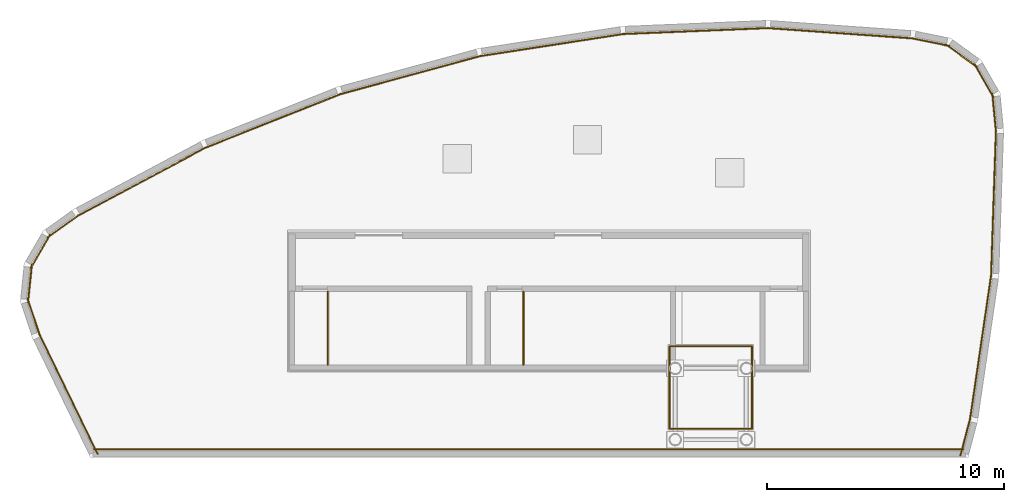
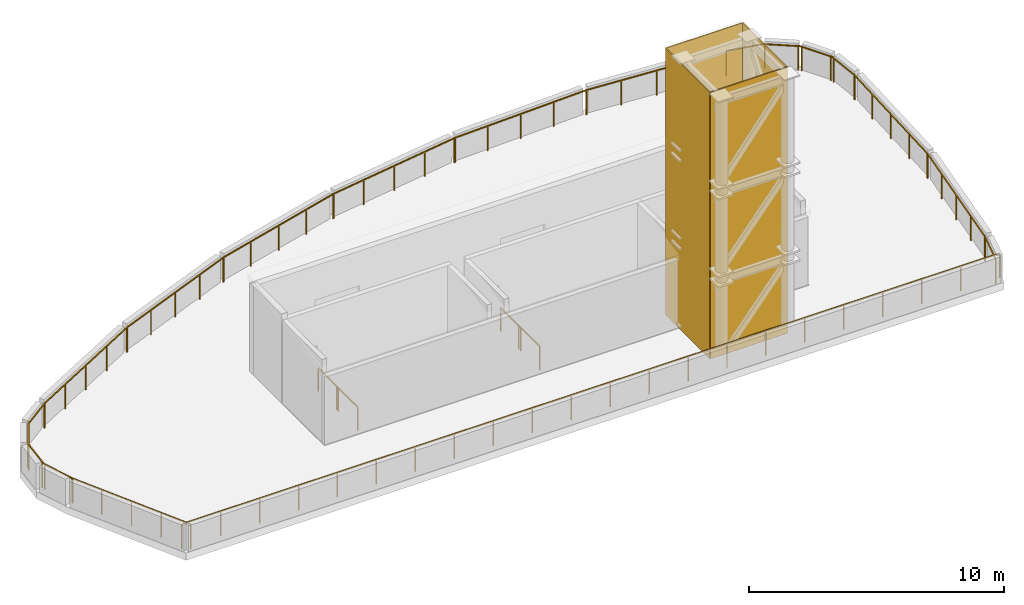
# One storey, part 3 of 3: 23 railings, 4 coverings.
"""IFC4 building model written with IfcOpenShell, lengths in metres."""

from ifc_helpers import new_model, si_unit, direction, frame, origin, origin_2d, place, context, subcontext, project, spatial, rectangle, extrude, material, layer, layer_set, type_object, element, save


model = new_model("IFC4")

# Units and contexts
model_context = context("Model", 3, precision=1e-05, world=origin(), true_north=direction((0.0, 1.0)))
body_context = subcontext(model_context, "Body", "Model", "MODEL_VIEW")
ifc_project = project(units=[si_unit("LENGTHUNIT", "METRE"), si_unit("AREAUNIT", "SQUARE_METRE"), si_unit("VOLUMEUNIT", "CUBIC_METRE"), si_unit("PLANEANGLEUNIT", "RADIAN"), si_unit("MASSUNIT", "GRAM", prefix="KILO")], contexts=[model_context])

# Site, building, storey
site_placement = place(None, origin())
site = spatial("IfcSite", under=ifc_project, at=site_placement, CompositionType="ELEMENT")
building_placement = place(site_placement, origin())
building = spatial("IfcBuilding", under=site, at=building_placement, Name="Tavelor Broadcast Tower", CompositionType="ELEMENT")
storey_placement = place(building_placement, frame((0.0, 0.0, 359.699951171875)))
storey = spatial("IfcBuildingStorey", under=building, at=storey_placement, Name="RF", CompositionType="ELEMENT", Elevation=359.699951171875)

# Coverings
ifc_material_1 = material(Name="Copper-Bronze Anodized Aluminium", Category="aluminium")
ifc_layer = layer(ifc_material_1, 0.050048828125)
ifc_layer_set = layer_set([ifc_layer], Name="Copper-Bronze Anodized Aluminium")
covering_type = type_object("IfcCoveringType", Name="Champagne-Bronze Corner Pier Metal Cladding 50 mm", PredefinedType="CLADDING", material=ifc_layer_set)
for number, where, z_axis, x_axis, name in (
    (1, (52.699951171875, 45.409912109375, 0.02001953125), (0.0, 0.0, 1.0), (1.0, 0.0, 0.0), "RF Broadcast Spire Aerodynamic Shroud Cladding S"),
    (2, (52.699951171875, 48.889892578125, 0.02001953125), (0.0, 0.0, 1.0), (1.0, 0.0, 0.0), "RF Broadcast Spire Aerodynamic Shroud Cladding N"),
):
    element("IfcCovering", number, at=place(storey_placement, frame(where, z_axis=z_axis, x_axis=x_axis)), inside=storey, type_object=covering_type, Name=name, PredefinedType="CLADDING", context=body_context, shape_type="SweptSolid", body=[
        extrude(rectangle(XDim=3.47998046875, YDim=0.050048828125, at=origin_2d()), origin(), (0.0, 0.0, 1.0), 12.760009765625),
    ])
for number, where, z_axis, x_axis, name in (
    (3, (50.9599609375, 47.14990234375, 0.02001953125), (0.0, 0.0, 1.0), (1.0, 0.0, 0.0), "RF Broadcast Spire Aerodynamic Shroud Cladding W"),
    (4, (54.43994140625, 47.14990234375, 0.02001953125), (0.0, 0.0, 1.0), (1.0, 0.0, 0.0), "RF Broadcast Spire Aerodynamic Shroud Cladding E"),
):
    element("IfcCovering", number, at=place(storey_placement, frame(where, z_axis=z_axis, x_axis=x_axis)), inside=storey, type_object=covering_type, Name=name, PredefinedType="CLADDING", context=body_context, shape_type="SweptSolid", body=[
        extrude(rectangle(XDim=0.050048828125, YDim=3.47998046875, at=origin_2d()), origin(), (0.0, 0.0, 1.0), 12.760009765625),
    ])

# Railings
ifc_material_2 = material(Name="Steel S355", Category="steel")
railing_type_1 = type_object("IfcRailingType", Name="Open Wind Floor Perimeter Safety Guardrail 1200 mm", PredefinedType="GUARDRAIL", material=ifc_material_2)
railing_1_placement = place(storey_placement, frame((26.531494140625, 44.5400390625, 0.0)))
element("IfcRailing", 5, at=railing_1_placement, inside=storey, type_object=railing_type_1, Name="RF RF Peak A Roof Deck Perimeter Guardrail #236", PredefinedType="GUARDRAIL", context=body_context, shape_type="SweptSolid", body=[
    extrude(rectangle(XDim=0.048095703125, YDim=0.048095703125, at=origin_2d()), frame((0.0, 0.0, 1.17578125), z_axis=(1.0, 0.0, 0.0), x_axis=(0.0, 1.0, 0.0)), (0.0, 0.0, 1.0), 37.02685546875),
    extrude(rectangle(XDim=0.0419921875, YDim=0.0419921875, at=origin_2d()), origin(), (0.0, 0.0, 1.0), 1.15185546875),
    extrude(rectangle(XDim=0.0419921875, YDim=0.0419921875, at=origin_2d()), frame((1.76318359375, 0.0, 0.0)), (0.0, 0.0, 1.0), 1.15185546875),
    extrude(rectangle(XDim=0.0419921875, YDim=0.0419921875, at=origin_2d()), frame((3.5263671875, 0.0, 0.0)), (0.0, 0.0, 1.0), 1.15185546875),
    extrude(rectangle(XDim=0.0419921875, YDim=0.0419921875, at=origin_2d()), frame((5.28955078125, 0.0, 0.0)), (0.0, 0.0, 1.0), 1.15185546875),
    extrude(rectangle(XDim=0.0419921875, YDim=0.0419921875, at=origin_2d()), frame((7.052734375, 0.0, 0.0)), (0.0, 0.0, 1.0), 1.15185546875),
    extrude(rectangle(XDim=0.0419921875, YDim=0.0419921875, at=origin_2d()), frame((8.81591796875, 0.0, 0.0)), (0.0, 0.0, 1.0), 1.15185546875),
    extrude(rectangle(XDim=0.0419921875, YDim=0.0419921875, at=origin_2d()), frame((10.5791015625, 0.0, 0.0)), (0.0, 0.0, 1.0), 1.15185546875),
    extrude(rectangle(XDim=0.0419921875, YDim=0.0419921875, at=origin_2d()), frame((12.34228515625, 0.0, 0.0)), (0.0, 0.0, 1.0), 1.15185546875),
    extrude(rectangle(XDim=0.0419921875, YDim=0.0419921875, at=origin_2d()), frame((14.10546875, 0.0, 0.0)), (0.0, 0.0, 1.0), 1.15185546875),
    extrude(rectangle(XDim=0.0419921875, YDim=0.0419921875, at=origin_2d()), frame((15.86865234375, 0.0, 0.0)), (0.0, 0.0, 1.0), 1.15185546875),
    extrude(rectangle(XDim=0.0419921875, YDim=0.0419921875, at=origin_2d()), frame((17.6318359375, 0.0, 0.0)), (0.0, 0.0, 1.0), 1.15185546875),
    extrude(rectangle(XDim=0.0419921875, YDim=0.0419921875, at=origin_2d()), frame((19.39501953125, 0.0, 0.0)), (0.0, 0.0, 1.0), 1.15185546875),
    extrude(rectangle(XDim=0.0419921875, YDim=0.0419921875, at=origin_2d()), frame((21.158203125, 0.0, 0.0)), (0.0, 0.0, 1.0), 1.15185546875),
    extrude(rectangle(XDim=0.0419921875, YDim=0.0419921875, at=origin_2d()), frame((22.92138671875, 0.0, 0.0)), (0.0, 0.0, 1.0), 1.15185546875),
    extrude(rectangle(XDim=0.0419921875, YDim=0.0419921875, at=origin_2d()), frame((24.6845703125, 0.0, 0.0)), (0.0, 0.0, 1.0), 1.15185546875),
    extrude(rectangle(XDim=0.0419921875, YDim=0.0419921875, at=origin_2d()), frame((26.44775390625, 0.0, 0.0)), (0.0, 0.0, 1.0), 1.15185546875),
    extrude(rectangle(XDim=0.0419921875, YDim=0.0419921875, at=origin_2d()), frame((28.2109375, 0.0, 0.0)), (0.0, 0.0, 1.0), 1.15185546875),
    extrude(rectangle(XDim=0.0419921875, YDim=0.0419921875, at=origin_2d()), frame((29.97412109375, 0.0, 0.0)), (0.0, 0.0, 1.0), 1.15185546875),
    extrude(rectangle(XDim=0.0419921875, YDim=0.0419921875, at=origin_2d()), frame((31.7373046875, 0.0, 0.0)), (0.0, 0.0, 1.0), 1.15185546875),
    extrude(rectangle(XDim=0.0419921875, YDim=0.0419921875, at=origin_2d()), frame((33.50048828125, 0.0, 0.0)), (0.0, 0.0, 1.0), 1.15185546875),
    extrude(rectangle(XDim=0.0419921875, YDim=0.0419921875, at=origin_2d()), frame((35.263671875, 0.0, 0.0)), (0.0, 0.0, 1.0), 1.15185546875),
    extrude(rectangle(XDim=0.0419921875, YDim=0.0419921875, at=origin_2d()), frame((37.02685546875, 0.0, 0.0)), (0.0, 0.0, 1.0), 1.15185546875),
])
railing_2_placement = place(storey_placement, frame((63.2294921875, 44.286865234375, 0.0)))
element("IfcRailing", 6, at=railing_2_placement, inside=storey, type_object=railing_type_1, Name="RF RF Peak A Roof Deck Perimeter Guardrail #237", PredefinedType="GUARDRAIL", context=body_context, shape_type="SweptSolid", body=[
    extrude(rectangle(XDim=0.048095703125, YDim=0.048095703125, at=origin_2d()), frame((0.0, 0.0, 1.17578125), z_axis=(0.255245551624, 0.966876263219, 0.0), x_axis=(-0.966876263219, 0.255245551624, 0.0)), (0.0, 0.0, 1.0), 1.597412109375),
    extrude(rectangle(XDim=0.0419921875, YDim=0.0419921875, at=origin_2d()), origin(), (0.0, 0.0, 1.0), 1.15185546875),
    extrude(rectangle(XDim=0.0419921875, YDim=0.0419921875, at=origin_2d()), frame((0.40771484375, 1.54443359375, 0.0)), (0.0, 0.0, 1.0), 1.15185546875),
])
railing_3_placement = place(storey_placement, frame((63.629638671875, 45.7939453125, 0.0)))
element("IfcRailing", 7, at=railing_3_placement, inside=storey, type_object=railing_type_1, Name="RF RF Peak A Roof Deck Perimeter Guardrail #238", PredefinedType="GUARDRAIL", context=body_context, shape_type="SweptSolid", body=[
    extrude(rectangle(XDim=0.048095703125, YDim=0.048095703125, at=origin_2d()), frame((0.0, 0.0, 1.17578125), z_axis=(0.145229810997, 0.989397949259, 0.0), x_axis=(-0.989397949259, 0.145229810997, 0.0)), (0.0, 0.0, 1.0), 6.14599609375),
    extrude(rectangle(XDim=0.0419921875, YDim=0.0419921875, at=origin_2d()), origin(), (0.0, 0.0, 1.0), 1.15185546875),
    extrude(rectangle(XDim=0.0419921875, YDim=0.0419921875, at=origin_2d()), frame((0.22314453125, 1.520263671875, 0.0)), (0.0, 0.0, 1.0), 1.15185546875),
    extrude(rectangle(XDim=0.0419921875, YDim=0.0419921875, at=origin_2d()), frame((0.4462890625, 3.04052734375, 0.0)), (0.0, 0.0, 1.0), 1.15185546875),
    extrude(rectangle(XDim=0.0419921875, YDim=0.0419921875, at=origin_2d()), frame((0.66943359375, 4.560546875, 0.0)), (0.0, 0.0, 1.0), 1.15185546875),
    extrude(rectangle(XDim=0.0419921875, YDim=0.0419921875, at=origin_2d()), frame((0.892578125, 6.080810546875, 0.0)), (0.0, 0.0, 1.0), 1.15185546875),
])
railing_4_placement = place(storey_placement, frame((64.518798828125, 51.8369140625, 0.0)))
element("IfcRailing", 8, at=railing_4_placement, inside=storey, type_object=railing_type_1, Name="RF RF Peak A Roof Deck Perimeter Guardrail #239", PredefinedType="GUARDRAIL", context=body_context, shape_type="SweptSolid", body=[
    extrude(rectangle(XDim=0.048095703125, YDim=0.048095703125, at=origin_2d()), frame((0.0, 0.0, 1.17578125), z_axis=(0.03352778295, 0.999437785843, 0.0), x_axis=(-0.999437785843, 0.03352778295, 0.0)), (0.0, 0.0, 1.0), 6.145751953125),
    extrude(rectangle(XDim=0.0419921875, YDim=0.0419921875, at=origin_2d()), origin(), (0.0, 0.0, 1.0), 1.15185546875),
    extrude(rectangle(XDim=0.0419921875, YDim=0.0419921875, at=origin_2d()), frame((0.051513671875, 1.53564453125, 0.0)), (0.0, 0.0, 1.0), 1.15185546875),
    extrude(rectangle(XDim=0.0419921875, YDim=0.0419921875, at=origin_2d()), frame((0.10302734375, 3.0712890625, 0.0)), (0.0, 0.0, 1.0), 1.15185546875),
    extrude(rectangle(XDim=0.0419921875, YDim=0.0419921875, at=origin_2d()), frame((0.154541015625, 4.606689453125, 0.0)), (0.0, 0.0, 1.0), 1.15185546875),
    extrude(rectangle(XDim=0.0419921875, YDim=0.0419921875, at=origin_2d()), frame((0.2060546875, 6.142333984375, 0.0)), (0.0, 0.0, 1.0), 1.15185546875),
])
railing_5_placement = place(storey_placement, frame((64.726318359375, 57.93505859375, 0.0)))
element("IfcRailing", 9, at=railing_5_placement, inside=storey, type_object=railing_type_1, Name="RF RF Peak A Roof Deck Perimeter Guardrail #240", PredefinedType="GUARDRAIL", context=body_context, shape_type="SweptSolid", body=[
    extrude(rectangle(XDim=0.048095703125, YDim=0.048095703125, at=origin_2d()), frame((0.0, 0.0, 1.17578125), z_axis=(-0.096860415996, 0.995297975389, 0.0), x_axis=(-0.995297975389, -0.096860415996, 0.0)), (0.0, 0.0, 1.0), 1.6005859375),
    extrude(rectangle(XDim=0.0419921875, YDim=0.0419921875, at=origin_2d()), origin(), (0.0, 0.0, 1.0), 1.15185546875),
    extrude(rectangle(XDim=0.0419921875, YDim=0.0419921875, at=origin_2d()), frame((-0.155029296875, 1.593017578125, 0.0)), (0.0, 0.0, 1.0), 1.15185546875),
])
railing_6_placement = place(storey_placement, frame((64.614990234375, 59.3916015625, 0.0)))
element("IfcRailing", 10, at=railing_6_placement, inside=storey, type_object=railing_type_1, Name="RF RF Peak A Roof Deck Perimeter Guardrail #241", PredefinedType="GUARDRAIL", context=body_context, shape_type="SweptSolid", body=[
    extrude(rectangle(XDim=0.048095703125, YDim=0.048095703125, at=origin_2d()), frame((0.0, 0.0, 1.17578125), z_axis=(-0.497731538388, 0.86733114535, 0.0), x_axis=(-0.86733114535, -0.497731538388, 0.0)), (0.0, 0.0, 1.0), 1.6005859375),
    extrude(rectangle(XDim=0.0419921875, YDim=0.0419921875, at=origin_2d()), origin(), (0.0, 0.0, 1.0), 1.15185546875),
    extrude(rectangle(XDim=0.0419921875, YDim=0.0419921875, at=origin_2d()), frame((-0.796630859375, 1.38818359375, 0.0)), (0.0, 0.0, 1.0), 1.15185546875),
])
railing_7_placement = place(storey_placement, frame((63.9140625, 60.67333984375, 0.0)))
element("IfcRailing", 11, at=railing_7_placement, inside=storey, type_object=railing_type_1, Name="RF RF Peak A Roof Deck Perimeter Guardrail #242", PredefinedType="GUARDRAIL", context=body_context, shape_type="SweptSolid", body=[
    extrude(rectangle(XDim=0.048095703125, YDim=0.048095703125, at=origin_2d()), frame((0.0, 0.0, 1.17578125), z_axis=(-0.810526364793, 0.585702152955, 0.0), x_axis=(-0.585702152955, -0.810526364793, 0.0)), (0.0, 0.0, 1.0), 1.6005859375),
    extrude(rectangle(XDim=0.0419921875, YDim=0.0419921875, at=origin_2d()), origin(), (0.0, 0.0, 1.0), 1.15185546875),
    extrude(rectangle(XDim=0.0419921875, YDim=0.0419921875, at=origin_2d()), frame((-1.29736328125, 0.9375, 0.0)), (0.0, 0.0, 1.0), 1.15185546875),
])
railing_8_placement = place(storey_placement, frame((62.747802734375, 61.55322265625, 0.0)))
element("IfcRailing", 12, at=railing_8_placement, inside=storey, type_object=railing_type_1, Name="RF RF Peak A Roof Deck Perimeter Guardrail #243", PredefinedType="GUARDRAIL", context=body_context, shape_type="SweptSolid", body=[
    extrude(rectangle(XDim=0.048095703125, YDim=0.048095703125, at=origin_2d()), frame((0.0, 0.0, 1.17578125), z_axis=(-0.979738747294, 0.200279771944, 0.0), x_axis=(-0.200279771944, -0.979738747294, 0.0)), (0.0, 0.0, 1.0), 1.6005859375),
    extrude(rectangle(XDim=0.0419921875, YDim=0.0419921875, at=origin_2d()), origin(), (0.0, 0.0, 1.0), 1.15185546875),
    extrude(rectangle(XDim=0.0419921875, YDim=0.0419921875, at=origin_2d()), frame((-1.568115234375, 0.320556640625, 0.0)), (0.0, 0.0, 1.0), 1.15185546875),
])
railing_9_placement = place(storey_placement, frame((61.2236328125, 61.86767578125, 0.0)))
element("IfcRailing", 13, at=railing_9_placement, inside=storey, type_object=railing_type_1, Name="RF RF Peak A Roof Deck Perimeter Guardrail #244", PredefinedType="GUARDRAIL", context=body_context, shape_type="SweptSolid", body=[
    extrude(rectangle(XDim=0.048095703125, YDim=0.048095703125, at=origin_2d()), frame((0.0, 0.0, 1.17578125), z_axis=(-0.997465953835, 0.07114542108, 0.0), x_axis=(-0.07114542108, -0.997465953835, 0.0)), (0.0, 0.0, 1.0), 6.14599609375),
    extrude(rectangle(XDim=0.0419921875, YDim=0.0419921875, at=origin_2d()), origin(), (0.0, 0.0, 1.0), 1.15185546875),
    extrude(rectangle(XDim=0.0419921875, YDim=0.0419921875, at=origin_2d()), frame((-1.53271484375, 0.109375, 0.0)), (0.0, 0.0, 1.0), 1.15185546875),
    extrude(rectangle(XDim=0.0419921875, YDim=0.0419921875, at=origin_2d()), frame((-3.065185546875, 0.21875, 0.0)), (0.0, 0.0, 1.0), 1.15185546875),
    extrude(rectangle(XDim=0.0419921875, YDim=0.0419921875, at=origin_2d()), frame((-4.59765625, 0.327880859375, 0.0)), (0.0, 0.0, 1.0), 1.15185546875),
    extrude(rectangle(XDim=0.0419921875, YDim=0.0419921875, at=origin_2d()), frame((-6.13037109375, 0.437255859375, 0.0)), (0.0, 0.0, 1.0), 1.15185546875),
])
railing_10_placement = place(storey_placement, frame((55.131591796875, 62.304443359375, 0.0)))
element("IfcRailing", 14, at=railing_10_placement, inside=storey, type_object=railing_type_1, Name="RF RF Peak A Roof Deck Perimeter Guardrail #245", PredefinedType="GUARDRAIL", context=body_context, shape_type="SweptSolid", body=[
    extrude(rectangle(XDim=0.048095703125, YDim=0.048095703125, at=origin_2d()), frame((0.0, 0.0, 1.17578125), z_axis=(-0.999157814752, -0.041032441069, 0.0), x_axis=(0.041032441069, -0.999157814752, 0.0)), (0.0, 0.0, 1.0), 6.146240234375),
    extrude(rectangle(XDim=0.0419921875, YDim=0.0419921875, at=origin_2d()), origin(), (0.0, 0.0, 1.0), 1.15185546875),
    extrude(rectangle(XDim=0.0419921875, YDim=0.0419921875, at=origin_2d()), frame((-1.53515625, -0.06298828125, 0.0)), (0.0, 0.0, 1.0), 1.15185546875),
    extrude(rectangle(XDim=0.0419921875, YDim=0.0419921875, at=origin_2d()), frame((-3.070556640625, -0.1259765625, 0.0)), (0.0, 0.0, 1.0), 1.15185546875),
    extrude(rectangle(XDim=0.0419921875, YDim=0.0419921875, at=origin_2d()), frame((-4.60595703125, -0.189208984375, 0.0)), (0.0, 0.0, 1.0), 1.15185546875),
    extrude(rectangle(XDim=0.0419921875, YDim=0.0419921875, at=origin_2d()), frame((-6.14111328125, -0.252197265625, 0.0)), (0.0, 0.0, 1.0), 1.15185546875),
])
railing_11_placement = place(storey_placement, frame((49.028564453125, 62.055908203125, 0.0)))
element("IfcRailing", 15, at=railing_11_placement, inside=storey, type_object=railing_type_1, Name="RF RF Peak A Roof Deck Perimeter Guardrail #246", PredefinedType="GUARDRAIL", context=body_context, shape_type="SweptSolid", body=[
    extrude(rectangle(XDim=0.048095703125, YDim=0.048095703125, at=origin_2d()), frame((0.0, 0.0, 1.17578125), z_axis=(-0.988267221351, -0.15273473476, 0.0), x_axis=(0.15273473476, -0.988267221351, 0.0)), (0.0, 0.0, 1.0), 6.14599609375),
    extrude(rectangle(XDim=0.0419921875, YDim=0.0419921875, at=origin_2d()), origin(), (0.0, 0.0, 1.0), 1.15185546875),
    extrude(rectangle(XDim=0.0419921875, YDim=0.0419921875, at=origin_2d()), frame((-1.5185546875, -0.234619140625, 0.0)), (0.0, 0.0, 1.0), 1.15185546875),
    extrude(rectangle(XDim=0.0419921875, YDim=0.0419921875, at=origin_2d()), frame((-3.037109375, -0.46923828125, 0.0)), (0.0, 0.0, 1.0), 1.15185546875),
    extrude(rectangle(XDim=0.0419921875, YDim=0.0419921875, at=origin_2d()), frame((-4.555419921875, -0.7041015625, 0.0)), (0.0, 0.0, 1.0), 1.15185546875),
    extrude(rectangle(XDim=0.0419921875, YDim=0.0419921875, at=origin_2d()), frame((-6.073974609375, -0.938720703125, 0.0)), (0.0, 0.0, 1.0), 1.15185546875),
])
railing_12_placement = place(storey_placement, frame((42.991943359375, 61.125244140625, 0.0)))
element("IfcRailing", 16, at=railing_12_placement, inside=storey, type_object=railing_type_1, Name="RF RF Peak A Roof Deck Perimeter Guardrail #247", PredefinedType="GUARDRAIL", context=body_context, shape_type="SweptSolid", body=[
    extrude(rectangle(XDim=0.048095703125, YDim=0.048095703125, at=origin_2d()), frame((0.0, 0.0, 1.17578125), z_axis=(-0.964946008647, -0.262448471889, 0.0), x_axis=(0.262448471889, -0.964946008647, 0.0)), (0.0, 0.0, 1.0), 6.14599609375),
    extrude(rectangle(XDim=0.0419921875, YDim=0.0419921875, at=origin_2d()), origin(), (0.0, 0.0, 1.0), 1.15185546875),
    extrude(rectangle(XDim=0.0419921875, YDim=0.0419921875, at=origin_2d()), frame((-1.482666015625, -0.4033203125, 0.0)), (0.0, 0.0, 1.0), 1.15185546875),
    extrude(rectangle(XDim=0.0419921875, YDim=0.0419921875, at=origin_2d()), frame((-2.96533203125, -0.806640625, 0.0)), (0.0, 0.0, 1.0), 1.15185546875),
    extrude(rectangle(XDim=0.0419921875, YDim=0.0419921875, at=origin_2d()), frame((-4.447998046875, -1.209716796875, 0.0)), (0.0, 0.0, 1.0), 1.15185546875),
    extrude(rectangle(XDim=0.0419921875, YDim=0.0419921875, at=origin_2d()), frame((-5.9306640625, -1.613037109375, 0.0)), (0.0, 0.0, 1.0), 1.15185546875),
])
railing_13_placement = place(storey_placement, frame((37.09765625, 59.5244140625, 0.0)))
element("IfcRailing", 17, at=railing_13_placement, inside=storey, type_object=railing_type_1, Name="RF RF Peak A Roof Deck Perimeter Guardrail #248", PredefinedType="GUARDRAIL", context=body_context, shape_type="SweptSolid", body=[
    extrude(rectangle(XDim=0.048095703125, YDim=0.048095703125, at=origin_2d()), frame((0.0, 0.0, 1.17578125), z_axis=(-0.92946779585, -0.36890326168, 0.0), x_axis=(0.36890326168, -0.92946779585, 0.0)), (0.0, 0.0, 1.0), 6.146240234375),
    extrude(rectangle(XDim=0.0419921875, YDim=0.0419921875, at=origin_2d()), origin(), (0.0, 0.0, 1.0), 1.15185546875),
    extrude(rectangle(XDim=0.0419921875, YDim=0.0419921875, at=origin_2d()), frame((-1.42822265625, -0.56689453125, 0.0)), (0.0, 0.0, 1.0), 1.15185546875),
    extrude(rectangle(XDim=0.0419921875, YDim=0.0419921875, at=origin_2d()), frame((-2.8564453125, -1.1337890625, 0.0)), (0.0, 0.0, 1.0), 1.15185546875),
    extrude(rectangle(XDim=0.0419921875, YDim=0.0419921875, at=origin_2d()), frame((-4.284423828125, -1.700439453125, 0.0)), (0.0, 0.0, 1.0), 1.15185546875),
    extrude(rectangle(XDim=0.0419921875, YDim=0.0419921875, at=origin_2d()), frame((-5.712646484375, -2.267333984375, 0.0)), (0.0, 0.0, 1.0), 1.15185546875),
])
railing_14_placement = place(storey_placement, frame((31.419677734375, 57.27294921875, 0.0)))
element("IfcRailing", 18, at=railing_14_placement, inside=storey, type_object=railing_type_1, Name="RF RF Peak A Roof Deck Perimeter Guardrail #249", PredefinedType="GUARDRAIL", context=body_context, shape_type="SweptSolid", body=[
    extrude(rectangle(XDim=0.048095703125, YDim=0.048095703125, at=origin_2d()), frame((0.0, 0.0, 1.17578125), z_axis=(-0.882284757019, -0.47071605829, 0.0), x_axis=(0.47071605829, -0.882284757019, 0.0)), (0.0, 0.0, 1.0), 6.14599609375),
    extrude(rectangle(XDim=0.0419921875, YDim=0.0419921875, at=origin_2d()), origin(), (0.0, 0.0, 1.0), 1.15185546875),
    extrude(rectangle(XDim=0.0419921875, YDim=0.0419921875, at=origin_2d()), frame((-1.355712890625, -0.72314453125, 0.0)), (0.0, 0.0, 1.0), 1.15185546875),
    extrude(rectangle(XDim=0.0419921875, YDim=0.0419921875, at=origin_2d()), frame((-2.71142578125, -1.446533203125, 0.0)), (0.0, 0.0, 1.0), 1.15185546875),
    extrude(rectangle(XDim=0.0419921875, YDim=0.0419921875, at=origin_2d()), frame((-4.06689453125, -2.169921875, 0.0)), (0.0, 0.0, 1.0), 1.15185546875),
    extrude(rectangle(XDim=0.0419921875, YDim=0.0419921875, at=origin_2d()), frame((-5.422607421875, -2.89306640625, 0.0)), (0.0, 0.0, 1.0), 1.15185546875),
])
railing_15_placement = place(storey_placement, frame((26.034912109375, 54.4033203125, 0.0)))
element("IfcRailing", 19, at=railing_15_placement, inside=storey, type_object=railing_type_1, Name="RF RF Peak A Roof Deck Perimeter Guardrail #250", PredefinedType="GUARDRAIL", context=body_context, shape_type="SweptSolid", body=[
    extrude(rectangle(XDim=0.048095703125, YDim=0.048095703125, at=origin_2d()), frame((0.0, 0.0, 1.17578125), z_axis=(-0.813661316492, -0.581339197066, 0.0), x_axis=(0.581339197066, -0.813661316492, 0.0)), (0.0, 0.0, 1.0), 1.6005859375),
    extrude(rectangle(XDim=0.0419921875, YDim=0.0419921875, at=origin_2d()), origin(), (0.0, 0.0, 1.0), 1.15185546875),
    extrude(rectangle(XDim=0.0419921875, YDim=0.0419921875, at=origin_2d()), frame((-1.30224609375, -0.930419921875, 0.0)), (0.0, 0.0, 1.0), 1.15185546875),
])
railing_16_placement = place(storey_placement, frame((24.8291015625, 53.57861328125, 0.0)))
element("IfcRailing", 20, at=railing_16_placement, inside=storey, type_object=railing_type_1, Name="RF RF Peak A Roof Deck Perimeter Guardrail #251", PredefinedType="GUARDRAIL", context=body_context, shape_type="SweptSolid", body=[
    extrude(rectangle(XDim=0.048095703125, YDim=0.048095703125, at=origin_2d()), frame((0.0, 0.0, 1.17578125), z_axis=(-0.502352635408, -0.864662841632, 0.0), x_axis=(0.864662841632, -0.502352635408, 0.0)), (0.0, 0.0, 1.0), 1.600341796875),
    extrude(rectangle(XDim=0.0419921875, YDim=0.0419921875, at=origin_2d()), origin(), (0.0, 0.0, 1.0), 1.15185546875),
    extrude(rectangle(XDim=0.0419921875, YDim=0.0419921875, at=origin_2d()), frame((-0.803955078125, -1.3837890625, 0.0)), (0.0, 0.0, 1.0), 1.15185546875),
])
railing_17_placement = place(storey_placement, frame((24.0693359375, 52.3310546875, 0.0)))
element("IfcRailing", 21, at=railing_17_placement, inside=storey, type_object=railing_type_1, Name="RF RF Peak A Roof Deck Perimeter Guardrail #252", PredefinedType="GUARDRAIL", context=body_context, shape_type="SweptSolid", body=[
    extrude(rectangle(XDim=0.048095703125, YDim=0.048095703125, at=origin_2d()), frame((0.0, 0.0, 1.17578125), z_axis=(-0.101889533947, -0.994795719167, 0.0), x_axis=(0.994795719167, -0.101889533947, 0.0)), (0.0, 0.0, 1.0), 1.6005859375),
    extrude(rectangle(XDim=0.0419921875, YDim=0.0419921875, at=origin_2d()), origin(), (0.0, 0.0, 1.0), 1.15185546875),
    extrude(rectangle(XDim=0.0419921875, YDim=0.0419921875, at=origin_2d()), frame((-0.1630859375, -1.59228515625, 0.0)), (0.0, 0.0, 1.0), 1.15185546875),
])
railing_18_placement = place(storey_placement, frame((23.890380859375, 50.881103515625, 0.0)))
element("IfcRailing", 22, at=railing_18_placement, inside=storey, type_object=railing_type_1, Name="RF RF Peak A Roof Deck Perimeter Guardrail #253", PredefinedType="GUARDRAIL", context=body_context, shape_type="SweptSolid", body=[
    extrude(rectangle(XDim=0.048095703125, YDim=0.048095703125, at=origin_2d()), frame((0.0, 0.0, 1.17578125), z_axis=(0.316502308994, -0.948591739581, 0.0), x_axis=(0.948591739581, 0.316502308994, 0.0)), (0.0, 0.0, 1.0), 1.6005859375),
    extrude(rectangle(XDim=0.0419921875, YDim=0.0419921875, at=origin_2d()), origin(), (0.0, 0.0, 1.0), 1.15185546875),
    extrude(rectangle(XDim=0.0419921875, YDim=0.0419921875, at=origin_2d()), frame((0.506591796875, -1.518310546875, 0.0)), (0.0, 0.0, 1.0), 1.15185546875),
])
railing_19_placement = place(storey_placement, frame((24.38037109375, 49.40380859375, 0.0)))
element("IfcRailing", 23, at=railing_19_placement, inside=storey, type_object=railing_type_1, Name="RF RF Peak A Roof Deck Perimeter Guardrail #254", PredefinedType="GUARDRAIL", context=body_context, shape_type="SweptSolid", body=[
    extrude(rectangle(XDim=0.048095703125, YDim=0.048095703125, at=origin_2d()), frame((0.0, 0.0, 1.17578125), z_axis=(0.437107796154, -0.899409125227, 0.0), x_axis=(0.899409125227, 0.437107796154, 0.0)), (0.0, 0.0, 1.0), 5.62060546875),
    extrude(rectangle(XDim=0.0419921875, YDim=0.0419921875, at=origin_2d()), origin(), (0.0, 0.0, 1.0), 1.15185546875),
    extrude(rectangle(XDim=0.0419921875, YDim=0.0419921875, at=origin_2d()), frame((0.6142578125, -1.263671875, 0.0)), (0.0, 0.0, 1.0), 1.15185546875),
    extrude(rectangle(XDim=0.0419921875, YDim=0.0419921875, at=origin_2d()), frame((1.228515625, -2.527587890625, 0.0)), (0.0, 0.0, 1.0), 1.15185546875),
    extrude(rectangle(XDim=0.0419921875, YDim=0.0419921875, at=origin_2d()), frame((1.842529296875, -3.79150390625, 0.0)), (0.0, 0.0, 1.0), 1.15185546875),
    extrude(rectangle(XDim=0.0419921875, YDim=0.0419921875, at=origin_2d()), frame((2.456787109375, -5.05517578125, 0.0)), (0.0, 0.0, 1.0), 1.15185546875),
])
railing_type_2 = type_object("IfcRailingType", Name="Stairwell Steel Safety Guardrail 1150 mm", PredefinedType="GUARDRAIL", material=ifc_material_2)
for number, where, name in (
    (24, (44.800048828125, 48.10009765625, 0.0), "RF ST1 top well guard 1"),
    (25, (36.550048828125, 48.10009765625, 0.0), "RF ST5 top well guard 1"),
):
    element("IfcRailing", number, at=place(storey_placement, frame(where)), inside=storey, type_object=railing_type_2, Name=name, PredefinedType="GUARDRAIL", context=body_context, shape_type="SweptSolid", body=[
        extrude(rectangle(XDim=0.048095703125, YDim=0.048095703125, at=origin_2d()), frame((0.0, 0.0, 1.1259765625), z_axis=(0.0, 1.0, 0.0), x_axis=(-1.0, 0.0, 0.0)), (0.0, 0.0, 1.0), 1.64990234375),
        extrude(rectangle(XDim=0.0419921875, YDim=0.0419921875, at=origin_2d()), origin(), (0.0, 0.0, 1.0), 1.101806640625),
        extrude(rectangle(XDim=0.0419921875, YDim=0.0419921875, at=origin_2d()), frame((0.0, 1.64990234375, 0.0)), (0.0, 0.0, 1.0), 1.101806640625),
    ])
for number, where, name in (
    (26, (44.800048828125, 49.60009765625, 0.0), "RF Stair ST1 Top Well Guardrail"),
    (27, (36.550048828125, 49.60009765625, 0.0), "RF Stair ST5 Top Well Guardrail"),
):
    element("IfcRailing", number, at=place(storey_placement, frame(where)), inside=storey, type_object=railing_type_2, Name=name, PredefinedType="GUARDRAIL", context=body_context, shape_type="SweptSolid", body=[
        extrude(rectangle(XDim=0.048095703125, YDim=0.048095703125, at=origin_2d()), frame((0.0, 0.0, 1.1259765625), z_axis=(0.0, 1.0, 0.0), x_axis=(-1.0, 0.0, 0.0)), (0.0, 0.0, 1.0), 1.579833984375),
        extrude(rectangle(XDim=0.0419921875, YDim=0.0419921875, at=origin_2d()), origin(), (0.0, 0.0, 1.0), 1.101806640625),
        extrude(rectangle(XDim=0.0419921875, YDim=0.0419921875, at=origin_2d()), frame((0.0, 1.579833984375, 0.0)), (0.0, 0.0, 1.0), 1.101806640625),
    ])

save(model, "model.ifc")
